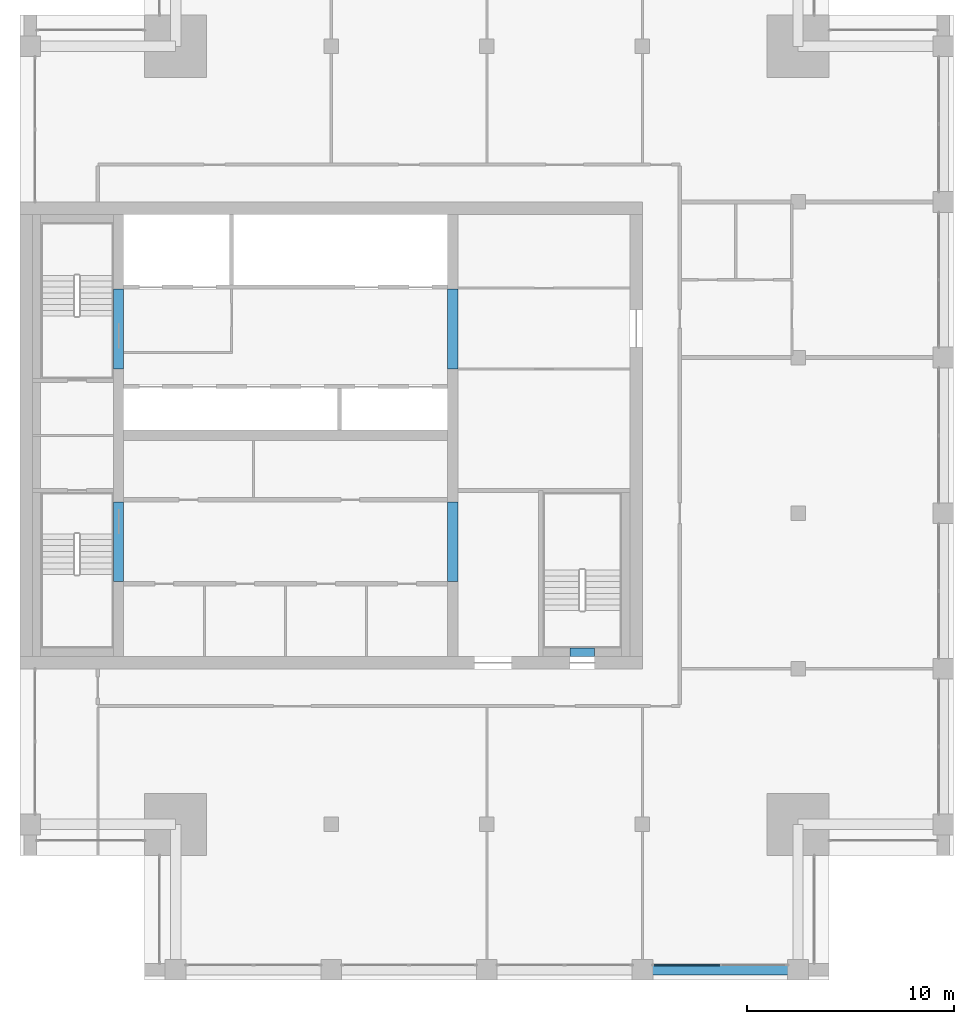
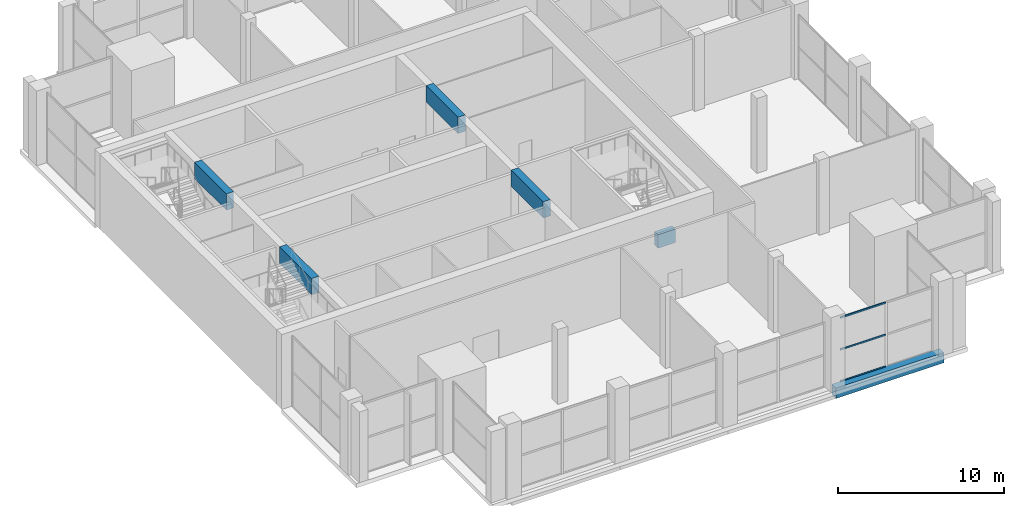
# One storey, part 3 of 15: 6 beams, 3 members, 1 element without a shape of its own.
"""IFC4 building model written with IfcOpenShell, lengths in metres."""

from ifc_helpers import new_model, si_unit, direction, frame, origin, origin_2d, place, context, subcontext, project, spatial, rectangle, extrude, material, layer, layer_set, material_profile, profile_set, type_object, element, aggregate, save


model = new_model("IFC4")

# Units and contexts
model_context = context("Model", 3, precision=1e-05, world=origin(), true_north=direction((0.0, 1.0)))
body_context = subcontext(model_context, "Body", "Model", "MODEL_VIEW")
ifc_project = project(units=[si_unit("LENGTHUNIT", "METRE"), si_unit("AREAUNIT", "SQUARE_METRE"), si_unit("VOLUMEUNIT", "CUBIC_METRE"), si_unit("PLANEANGLEUNIT", "RADIAN"), si_unit("MASSUNIT", "GRAM", prefix="KILO")], contexts=[model_context])

# Site, building, storey
site_placement = place(None, origin())
site = spatial("IfcSite", under=ifc_project, at=site_placement, CompositionType="ELEMENT")
building_placement = place(site_placement, origin())
building = spatial("IfcBuilding", under=site, at=building_placement, Name="Tamorin Gate", CompositionType="ELEMENT")
storey_placement = place(building_placement, frame((0.0, 0.0, 292.199951171875)))
storey = spatial("IfcBuildingStorey", under=building, at=storey_placement, Name="L73", CompositionType="ELEMENT", Elevation=292.199951171875)

# Curtain wall, members
ifc_material_1 = material(Name="Aluminium mullions and transoms with clear glass", Category="aluminium")
ifc_layer = layer(ifc_material_1, 0.159912109375)
ifc_layer_set = layer_set([ifc_layer], Name="Curtain wall system CW3")
curtain_wall_type = type_object("IfcCurtainWallType", Name="Curtain wall system CW3", PredefinedType="NOTDEFINED", material=ifc_layer_set)
curtain_wall_placement = place(storey_placement, origin())
curtain_wall = element("IfcCurtainWall", 1, at=curtain_wall_placement, inside=storey, type_object=curtain_wall_type, Name="Curtain wall", PredefinedType="NOTDEFINED")
ifc_material_2 = material(Name="Aluminium", Category="aluminium")
ifc_material_profile_1 = material_profile(ifc_material_2, rectangle(XDim=0.06005859375, YDim=0.1201171875, at=origin_2d()), Name="RECT 60x120")
ifc_profile_set_1 = profile_set([ifc_material_profile_1], Name="Aluminium")
member_type = type_object("IfcMemberType", Name="Aluminium transom 60x120", PredefinedType="USERDEFINED", material=ifc_profile_set_1)
member_1_placement = place(storey_placement, frame((60.56005859375, 45.719970703125, 0.030029296875), z_axis=(1.0, 0.0, 0.0), x_axis=(0.0, 1.0, 0.0)))
member_1 = element("IfcMember", 2, at=member_1_placement, type_object=member_type, Name="CW3 transom 1.1", ObjectType="TRANSOM", PredefinedType="USERDEFINED", context=body_context, shape_type="SweptSolid", body=[
    extrude(rectangle(XDim=0.06005859375, YDim=0.1201171875, at=origin_2d()), origin(), (0.0, 0.0, 1.0), 3.159912109375),
])
member_2_placement = place(storey_placement, frame((60.56005859375, 45.719970703125, 2.375), z_axis=(1.0, 0.0, 0.0), x_axis=(0.0, 1.0, 0.0)))
member_2 = element("IfcMember", 3, at=member_2_placement, type_object=member_type, Name="CW3 transom 1.2", ObjectType="TRANSOM", PredefinedType="USERDEFINED", context=body_context, shape_type="SweptSolid", body=[
    extrude(rectangle(XDim=0.06005859375, YDim=0.1201171875, at=origin_2d()), origin(), (0.0, 0.0, 1.0), 3.159912109375),
])
member_3_placement = place(storey_placement, frame((60.56005859375, 45.719970703125, 4.719970703125), z_axis=(1.0, 0.0, 0.0), x_axis=(0.0, 1.0, 0.0)))
member_3 = element("IfcMember", 4, at=member_3_placement, type_object=member_type, Name="CW3 transom 1.3", ObjectType="TRANSOM", PredefinedType="USERDEFINED", context=body_context, shape_type="SweptSolid", body=[
    extrude(rectangle(XDim=0.06005859375, YDim=0.1201171875, at=origin_2d()), origin(), (0.0, 0.0, 1.0), 3.159912109375),
])
aggregate(curtain_wall, [member_1, member_2, member_3])

# Beams
ifc_material_3 = material(Name="Concrete C50/60", Category="concrete")
ifc_material_profile_2 = material_profile(ifc_material_3, rectangle(XDim=0.5, YDim=1.199951171875, at=origin_2d()), Name="RC 500x1200")
ifc_profile_set_2 = profile_set([ifc_material_profile_2], Name="Concrete C50/60")
beam_type_1 = type_object("IfcBeamType", Name="RC coupling beam 500x1200 C50/60", PredefinedType="BEAM", material=ifc_profile_set_2)
for number, where, z_axis, x_axis, name in (
    (5, (34.75, 64.199951171875, 4.900146484375), (0.0, 1.0, 0.0), (-1.0, 0.0, 0.0), "Coupling beam L73"),
    (6, (34.75, 74.449951171875, 4.900146484375), (0.0, 1.0, 0.0), (-1.0, 0.0, 0.0), "Coupling beam L73"),
    (7, (50.85009765625, 64.199951171875, 4.900146484375), (0.0, 1.0, 0.0), (-1.0, 0.0, 0.0), "Coupling beam L73"),
    (8, (50.85009765625, 74.449951171875, 4.900146484375), (0.0, 1.0, 0.0), (-1.0, 0.0, 0.0), "Coupling beam L73"),
):
    element("IfcBeam", number, at=place(storey_placement, frame(where, z_axis=z_axis, x_axis=x_axis)), inside=storey, type_object=beam_type_1, Name=name, PredefinedType="BEAM", context=body_context, shape_type="SweptSolid", body=[
        extrude(rectangle(XDim=0.5, YDim=1.199951171875, at=origin_2d()), origin(), (0.0, 0.0, 1.0), 3.85009765625),
    ])
ifc_material_profile_3 = material_profile(ifc_material_3, rectangle(XDim=0.5, YDim=0.75, at=origin_2d()), Name="RC 500x750")
ifc_profile_set_3 = profile_set([ifc_material_profile_3], Name="Concrete C50/60")
beam_type_2 = type_object("IfcBeamType", Name="RC spandrel 500x750 C50/60", PredefinedType="BEAM", material=ifc_profile_set_3)
beam_1_placement = place(storey_placement, frame((60.0, 45.5, -0.375), z_axis=(1.0, 0.0, 0.0), x_axis=(0.0, 1.0, 0.0)))
element("IfcBeam", 9, at=beam_1_placement, inside=storey, type_object=beam_type_2, Name="Spandrel beam L73", PredefinedType="BEAM", context=body_context, shape_type="SweptSolid", body=[
    extrude(rectangle(XDim=0.5, YDim=0.75, at=origin_2d()), origin(), (0.0, 0.0, 1.0), 7.5),
])
ifc_material_profile_4 = material_profile(ifc_material_3, rectangle(XDim=0.39990234375, YDim=1.0, at=origin_2d()))
ifc_profile_set_4 = profile_set([ifc_material_profile_4], Name="Concrete C50/60")
beam_type_3 = type_object("IfcBeamType", Name="Stair lintel 400x1000 C50/60", PredefinedType="BEAM", material=ifc_profile_set_4)
beam_2_placement = place(storey_placement, frame((56.5, 60.800048828125, 2.699951171875), z_axis=(1.0, 0.0, 0.0), x_axis=(0.0, 1.0, 0.0)))
element("IfcBeam", 10, at=beam_2_placement, inside=storey, type_object=beam_type_3, Name="Stair lintel", PredefinedType="BEAM", context=body_context, shape_type="SweptSolid", body=[
    extrude(rectangle(XDim=0.39990234375, YDim=1.0, at=origin_2d()), origin(), (0.0, 0.0, 1.0), 1.199951171875),
])

save(model, "model.ifc")
